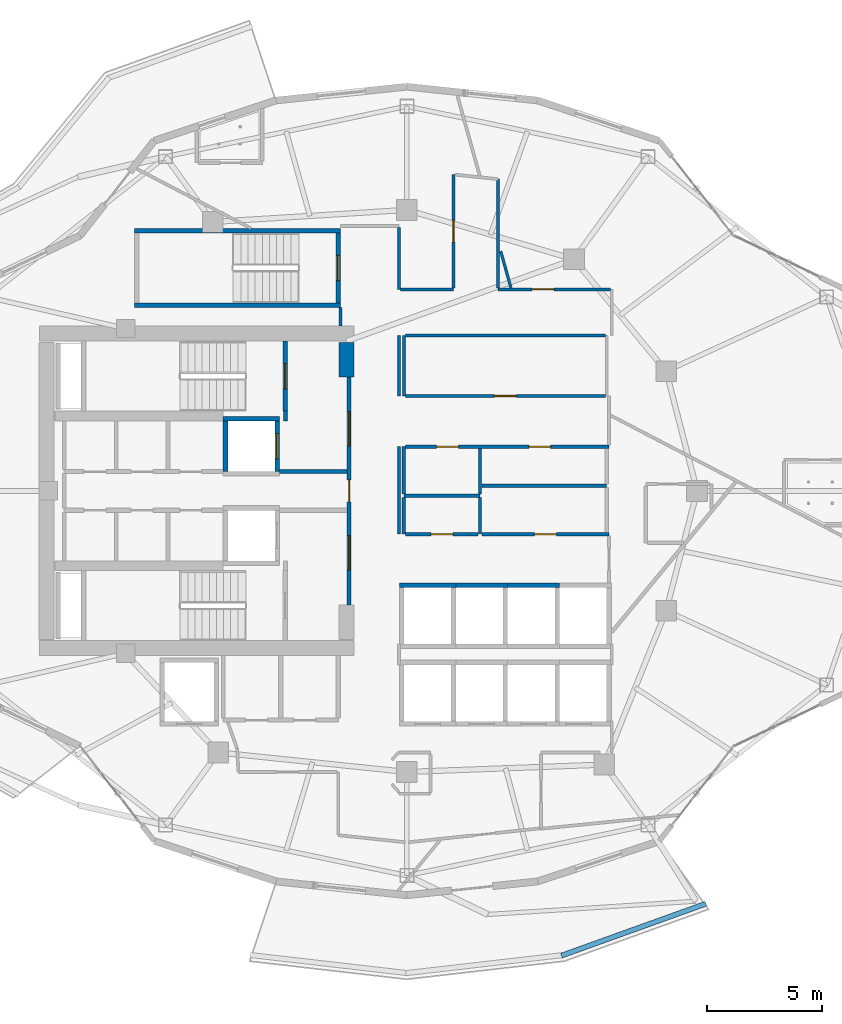
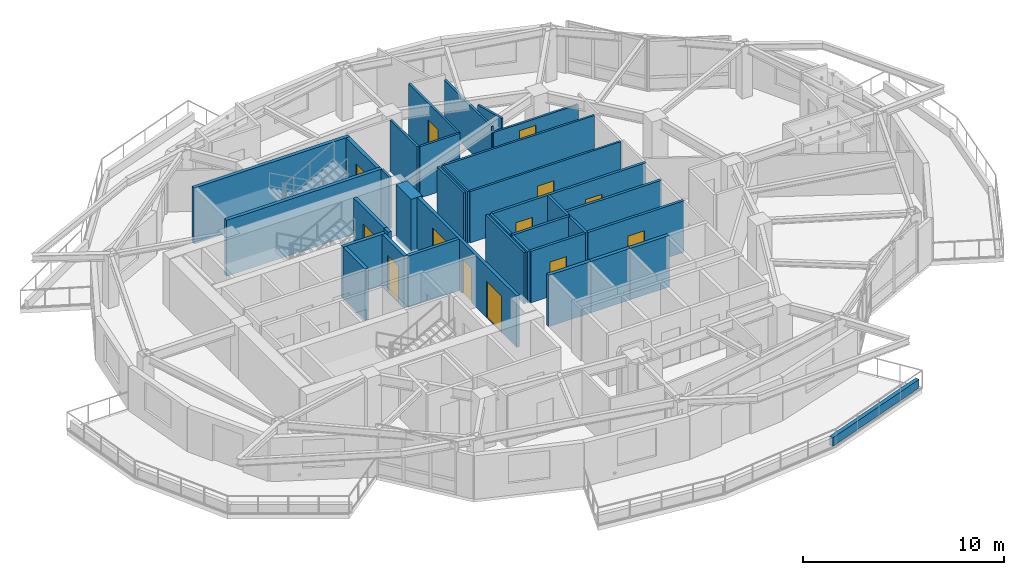
# One storey, part 10 of 18: 36 walls, 13 doors, 13 openings.
"""IFC4 building model written with IfcOpenShell, lengths in metres."""

import ifcopenshell
import ifcopenshell.guid

model = None  # the IFC model being written
_history = None  # IfcOwnerHistory: only IFC2X3 demands one
_inside = {}  # id of a spatial element -> (the spatial element, [elements in it])
_under = {}  # id of a project, library or spatial element -> (it, [spatial elements below it])
_declared = {}  # id of a project -> (the project, [libraries it declares])
_typed = {}  # id of a type object -> (the type object, [elements of that type])
_made_of = {}  # id of a material, layer set ... -> (it, [elements and type objects made of it])


def new_model(schema):
    """Start an empty IFC model of exactly this schema.

    Asked for "IFC4X3", IfcOpenShell would pick the latest addendum, in which some entities
    have other attributes; the version numbers below select the first issue.
    IFC2X3 requires an IfcOwnerHistory on every rooted entity: one is made here for all.
    """
    global model, _history
    if schema == "IFC4X3":
        model = ifcopenshell.file(schema_version=(4, 3, 0, 0))
    else:
        model = ifcopenshell.file(schema=schema)
    _inside.clear()
    _under.clear()
    _declared.clear()
    _typed.clear()
    _made_of.clear()
    _history = None
    if model.schema == "IFC2X3":
        org = make("IfcOrganization", Name="unknown")
        user = make(
            "IfcPersonAndOrganization",
            ThePerson=make("IfcPerson", FamilyName="unknown"),
            TheOrganization=org,
        )
        app = make(
            "IfcApplication",
            ApplicationDeveloper=org,
            Version="unknown",
            ApplicationFullName="unknown",
            ApplicationIdentifier="unknown",
        )
        _history = make(
            "IfcOwnerHistory",
            OwningUser=user,
            OwningApplication=app,
            ChangeAction="ADDED",
            CreationDate=0,
        )
    return model


def make(cls, **values):
    """One entity of the class cls with the attributes given. An attribute that is None is left unset."""
    return model.create_entity(
        cls, **{name: value for name, value in values.items() if value is not None}
    )


def rooted(cls, **values):
    """An entity with a GlobalId (a new one), such as an element, a storey or a relation."""
    return make(cls, GlobalId=ifcopenshell.guid.new(), OwnerHistory=_history, **values)


def si_unit(unit_type, name, prefix=None):
    """IfcSIUnit, for example si_unit("LENGTHUNIT", "METRE", prefix="MILLI")."""
    return make("IfcSIUnit", UnitType=unit_type, Prefix=prefix, Name=name)


def assignment(units):
    """IfcUnitAssignment: the units of a project."""
    return None if units is None else make("IfcUnitAssignment", Units=units)


def point(xyz):
    """IfcCartesianPoint."""
    return None if xyz is None else make("IfcCartesianPoint", Coordinates=xyz)


def direction(xyz):
    """IfcDirection."""
    return None if xyz is None else make("IfcDirection", DirectionRatios=xyz)


def frame(location, z_axis=None, x_axis=None):
    """IfcAxis2Placement3D, a coordinate frame: its origin and axes. An axis left out is left unset."""
    return make(
        "IfcAxis2Placement3D",
        Location=point(location),
        Axis=direction(z_axis),
        RefDirection=direction(x_axis),
    )


def frame_2d(location, x_axis=None):
    """IfcAxis2Placement2D, a coordinate frame in the plane: its origin and x axis."""
    return make(
        "IfcAxis2Placement2D", Location=point(location), RefDirection=direction(x_axis)
    )


def origin():
    """The frame at (0, 0, 0) with its axes left unset."""
    return frame((0.0, 0.0, 0.0))


def place(relative_to, where):
    """IfcLocalPlacement: puts the frame where relative to a parent placement (None: the world)."""
    return make(
        "IfcLocalPlacement", PlacementRelTo=relative_to, RelativePlacement=where
    )


def context(
    kind, dimensions, precision=None, world=None, true_north=None, identifier=None
):
    """IfcGeometricRepresentationContext, for example the 3D "Model" context."""
    return make(
        "IfcGeometricRepresentationContext",
        ContextIdentifier=identifier,
        ContextType=kind,
        CoordinateSpaceDimension=dimensions,
        Precision=precision,
        WorldCoordinateSystem=world,
        TrueNorth=true_north,
    )


def subcontext(parent, identifier, kind, view, scale=None):
    """IfcGeometricRepresentationSubContext, for example "Body" below "Model"."""
    return make(
        "IfcGeometricRepresentationSubContext",
        ContextIdentifier=identifier,
        ContextType=kind,
        ParentContext=parent,
        TargetScale=scale,
        TargetView=view,
    )


def project(units=None, contexts=None):
    """IfcProject with its units and contexts."""
    return rooted(
        "IfcProject",
        Name="project",
        RepresentationContexts=contexts,
        UnitsInContext=assignment(units),
    )


def spatial(cls, under=None, at=None, **own):
    """A site, building, storey or space (cls), placed at a placement, below another one or the project."""
    s = rooted(cls, ObjectPlacement=at, **own)
    if under is not None:
        _under.setdefault(under.id(), (under, []))[1].append(s)
    return s


def profile(cls, at=None, kind="AREA", **sizes):
    """A parametric profile (cls). Its sizes go by their IFC names, for example OverallWidth=200.0."""
    return make(cls, ProfileType=kind, Position=at, **sizes)


def rectangle(**sizes):
    """IfcRectangleProfileDef."""
    return profile("IfcRectangleProfileDef", **sizes)


def extrude(swept, where, along, depth):
    """IfcExtrudedAreaSolid: the profile swept, set in the frame where, extruded along a direction by depth."""
    return make(
        "IfcExtrudedAreaSolid",
        SweptArea=swept,
        Position=where,
        ExtrudedDirection=direction(along),
        Depth=depth,
    )


def shape(context_of_items, identifier, shape_type, items):
    """IfcShapeRepresentation: the items that make up one representation, for example the "Body"."""
    return make(
        "IfcShapeRepresentation",
        ContextOfItems=context_of_items,
        RepresentationIdentifier=identifier,
        RepresentationType=shape_type,
        Items=items,
    )


def material(Name=None, Category=None):
    """IfcMaterial."""
    return make("IfcMaterial", Name=Name, Category=Category)


def layer(
    of_material, thickness, ventilated=None, Name=None, Category=None, Priority=None
):
    """IfcMaterialLayer: one layer of a wall or slab, of a material (None: an air gap)."""
    return make(
        "IfcMaterialLayer",
        Material=of_material,
        LayerThickness=thickness,
        IsVentilated=ventilated,
        Name=Name,
        Category=Category,
        Priority=Priority,
    )


def layer_set(layers, Name=None):
    """IfcMaterialLayerSet."""
    return make("IfcMaterialLayerSet", MaterialLayers=layers, LayerSetName=Name)


def made_of(thing, what):
    """Note that an element or type object is made of a material, layer set ...; save() writes the relation."""
    if what is not None:
        _made_of.setdefault(what.id(), (what, []))[1].append(thing)
    return thing


def type_object(cls, material=None, **own):
    """A type object (cls), such as IfcWallType, which elements share."""
    return made_of(rooted(cls, **own), material)


def element(
    cls,
    number,
    at=None,
    inside=None,
    cuts=None,
    type_object=None,
    material=None,
    context=None,
    identifier="Body",
    shape_type=None,
    held_by="IfcProductDefinitionShape",
    body=None,
    shapes=None,
    **own,
):
    """One element of the class cls, such as IfcWall. Its Tag is "e" and its number.

    at: its placement. inside: the storey or other place that contains it. cuts: it is an
    opening in that element (IfcRelVoidsElement). A single representation is given by context,
    identifier, shape_type and body (its items); several are given by shapes. held_by: the class
    of the entity that holds the representations. save() writes the other relations.
    """
    e = rooted(cls, Tag="e%d" % number, ObjectPlacement=at, **own)
    if body is not None:
        shapes = [shape(context, identifier, shape_type, body)]
    if shapes is not None:
        e.Representation = make(held_by, Representations=shapes)
    if inside is not None:
        _inside.setdefault(inside.id(), (inside, []))[1].append(e)
    if cuts is not None:
        rooted(
            "IfcRelVoidsElement", RelatingBuildingElement=cuts, RelatedOpeningElement=e
        )
    if type_object is not None:
        _typed.setdefault(type_object.id(), (type_object, []))[1].append(e)
    return made_of(e, material)


def fill(opening, filler):
    """IfcRelFillsElement: the door or window that sits in an opening."""
    return rooted(
        "IfcRelFillsElement",
        RelatingOpeningElement=opening,
        RelatedBuildingElement=filler,
    )


def aggregate(whole, parts):
    """IfcRelAggregates: a whole, such as a stair, and the parts it consists of."""
    return rooted("IfcRelAggregates", RelatingObject=whole, RelatedObjects=parts)


def save(model, path):
    """Write the relations noted so far, then the file.

    IfcRelAggregates (storeys below a building ...), IfcRelContainedInSpatialStructure (elements
    in a storey), IfcRelDefinesByType, IfcRelAssociatesMaterial and IfcRelDeclares: one each for
    every whole, place, type object, material and project.
    """
    for whole, parts in _under.values():
        aggregate(whole, parts)
    for where, things in _inside.values():
        rooted(
            "IfcRelContainedInSpatialStructure",
            RelatedElements=things,
            RelatingStructure=where,
        )
    for kind, things in _typed.values():
        rooted("IfcRelDefinesByType", RelatedObjects=things, RelatingType=kind)
    for what, things in _made_of.values():
        rooted("IfcRelAssociatesMaterial", RelatedObjects=things, RelatingMaterial=what)
    for by, libraries in _declared.values():
        rooted("IfcRelDeclares", RelatingContext=by, RelatedDefinitions=libraries)
    model.write(path)


model = new_model("IFC4")

# Units and contexts
model_context = context("Model", 3, precision=1e-05, world=origin(), true_north=direction((0.0, 1.0)))
body_context = subcontext(model_context, "Body", "Model", "MODEL_VIEW")
ifc_project = project(units=[si_unit("LENGTHUNIT", "METRE"), si_unit("AREAUNIT", "SQUARE_METRE"), si_unit("VOLUMEUNIT", "CUBIC_METRE"), si_unit("PLANEANGLEUNIT", "RADIAN"), si_unit("MASSUNIT", "GRAM", prefix="KILO")], contexts=[model_context])

# Site, building, storey
site_placement = place(None, origin())
site = spatial("IfcSite", under=ifc_project, at=site_placement, CompositionType="ELEMENT")
building_placement = place(site_placement, origin())
building = spatial("IfcBuilding", under=site, at=building_placement, Name="Kolvaren Gate Tower and Convention Centre", CompositionType="ELEMENT")
storey_placement = place(building_placement, frame((0.0, 0.0, 176.699951171875)))
storey = spatial("IfcBuildingStorey", under=building, at=storey_placement, Name="L46", CompositionType="ELEMENT", Elevation=176.699951171875)

# Wall
ifc_material_1 = material(Name="Autoclaved Aerated Masonry Blockwork Class 4 (4.0 MPa)", Category="masonry")
ifc_layer_1 = layer(ifc_material_1, 0.179931640625)
ifc_layer_set_1 = layer_set([ifc_layer_1], Name="Autoclaved Aerated Masonry Blockwork Class 4 (4.0 MPa)")
wall_type_1 = type_object("IfcWallType", Name="ARCH-WL-COMP-180", PredefinedType="SOLIDWALL", material=ifc_layer_set_1)
wall_1_placement = place(storey_placement, frame((24.85009765625, 30.0400390625, 0.0), z_axis=(0.0, 0.0, 1.0), x_axis=(0.0, 1.0, 0.0)))
element("IfcWall", 1, at=wall_1_placement, inside=storey, type_object=wall_type_1, Name="Interior Partition WL-L46-INT-002", PredefinedType="SOLIDWALL", context=body_context, shape_type="SweptSolid", body=[
    extrude(rectangle(XDim=0.419921875, YDim=0.179931640625, at=frame_2d((0.2099609375, 0.0))), origin(), (0.0, 0.0, 1.0), 3.130126953125),
])

# Wall, openings, doors
wall_2_placement = place(storey_placement, frame((27.6201171875, 22.050048828125, 0.0), z_axis=(0.0, 0.0, 1.0), x_axis=(0.0, 1.0, 0.0)))
wall_2 = element("IfcWall", 2, at=wall_2_placement, inside=storey, type_object=wall_type_1, Name="Interior Partition WL-L46-INT-003", PredefinedType="SOLIDWALL", context=body_context, shape_type="SweptSolid", body=[
    extrude(rectangle(XDim=9.89990234375, YDim=0.179931640625, at=frame_2d((4.949951171875, 0.0))), origin(), (0.0, 0.0, 1.0), 3.130126953125),
])
opening_1_placement = place(wall_2_placement, frame((4.47509765625, 0.0, 0.0)))
opening_1 = element("IfcOpeningElement", 3, at=opening_1_placement, cuts=wall_2, Name="Opening DR-01", PredefinedType="OPENING", context=body_context, shape_type="SweptSolid", body=[
    extrude(rectangle(XDim=0.949951171875, YDim=2.10009765625, at=frame_2d((0.47509765625, 1.050048828125))), frame((0.0, 0.099853515625, 0.0), z_axis=(0.0, -1.0, 0.0), x_axis=(1.0, 0.0, 0.0)), (0.0, 0.0, 1.0), 0.199951171875),
])
opening_2_placement = place(wall_2_placement, frame((6.889892578125, 0.0, 0.0)))
opening_2 = element("IfcOpeningElement", 4, at=opening_2_placement, cuts=wall_2, Name="Opening DL-01", PredefinedType="OPENING", context=body_context, shape_type="SweptSolid", body=[
    extrude(rectangle(XDim=1.5, YDim=2.199951171875, at=frame_2d((0.75, 1.10009765625))), frame((0.0, 0.099853515625, 0.0), z_axis=(0.0, -1.0, 0.0), x_axis=(1.0, 0.0, 0.0)), (0.0, 0.0, 1.0), 0.199951171875),
])
opening_3_placement = place(wall_2_placement, frame((1.510009765625, 0.0, 0.0)))
opening_3 = element("IfcOpeningElement", 5, at=opening_3_placement, cuts=wall_2, Name="Opening DL-01", PredefinedType="OPENING", context=body_context, shape_type="SweptSolid", body=[
    extrude(rectangle(XDim=1.5, YDim=2.199951171875, at=frame_2d((0.75, 1.10009765625))), frame((0.0, 0.099853515625, 0.0), z_axis=(0.0, -1.0, 0.0), x_axis=(1.0, 0.0, 0.0)), (0.0, 0.0, 1.0), 0.199951171875),
])
ifc_material_2 = material(Name="Painted Architectural Steelwork ASTM A500 Grade C 345 MPa", Category="steel")
door_type_1 = type_object("IfcDoorType", Name="ARCH-DR-LOBBY-1500", OperationType="DOUBLE_DOOR_SINGLE_SWING", PredefinedType="DOOR", material=ifc_material_2)
door_1_placement = place(opening_2_placement, origin())
door_1 = element("IfcDoor", 6, at=door_1_placement, inside=storey, type_object=door_type_1, Name="North Firefighting Stair and Lift Lobby Door", OperationType="DOUBLE_DOOR_SINGLE_SWING", OverallHeight=2.199951171875, OverallWidth=1.5, PredefinedType="DOOR", context=body_context, shape_type="SweptSolid", body=[
    extrude(rectangle(XDim=1.5, YDim=2.199951171875, at=frame_2d((0.75, 1.10009765625))), frame((0.0, 0.02490234375, 0.0), z_axis=(0.0, -1.0, 0.0), x_axis=(1.0, 0.0, 0.0)), (0.0, 0.0, 1.0), 0.050048828125),
])
fill(opening_2, door_1)
door_2_placement = place(opening_3_placement, origin())
door_2 = element("IfcDoor", 7, at=door_2_placement, inside=storey, type_object=door_type_1, Name="South Firefighting Stair and Lift Lobby Door", OperationType="DOUBLE_DOOR_SINGLE_SWING", OverallHeight=2.199951171875, OverallWidth=1.5, PredefinedType="DOOR", context=body_context, shape_type="SweptSolid", body=[
    extrude(rectangle(XDim=1.5, YDim=2.199951171875, at=frame_2d((0.75, 1.10009765625))), frame((0.0, 0.02490234375, 0.0), z_axis=(0.0, -1.0, 0.0), x_axis=(1.0, 0.0, 0.0)), (0.0, 0.0, 1.0), 0.050048828125),
])
fill(opening_3, door_2)
door_type_2 = type_object("IfcDoorType", Name="ARCH-DR-RISER-950", OperationType="SINGLE_SWING_RIGHT", PredefinedType="DOOR", material=ifc_material_2)
door_3_placement = place(opening_1_placement, origin())
door_3 = element("IfcDoor", 8, at=door_3_placement, inside=storey, type_object=door_type_2, Name="Central MEP Service Corridor Door", OperationType="SINGLE_SWING_LEFT", OverallHeight=2.10009765625, OverallWidth=0.949951171875, PredefinedType="DOOR", context=body_context, shape_type="SweptSolid", body=[
    extrude(rectangle(XDim=0.949951171875, YDim=2.10009765625, at=frame_2d((0.47509765625, 1.050048828125))), frame((0.0, 0.02490234375, 0.0), z_axis=(0.0, -1.0, 0.0), x_axis=(1.0, 0.0, 0.0)), (0.0, 0.0, 1.0), 0.050048828125),
])
fill(opening_1, door_3)

# Walls
wall_3_placement = place(storey_placement, frame((24.60009765625, 27.840087890625, 0.0), z_axis=(0.0, 0.0, 1.0), x_axis=(1.0, 0.0, 0.0)))
element("IfcWall", 9, at=wall_3_placement, inside=storey, type_object=wall_type_1, Name="Interior Partition WL-L46-INT-004 (2)", PredefinedType="SOLIDWALL", context=body_context, shape_type="SweptSolid", body=[
    extrude(rectangle(XDim=2.927978515625, YDim=0.179931640625, at=frame_2d((1.4638671875, 0.0))), origin(), (0.0, 0.0, 1.0), 3.130126953125),
])
ifc_material_3 = material(Name="Fire-Rated Acoustic Gypsum Stud Partition", Category="gypsum")
ifc_layer_2 = layer(ifc_material_3, 0.1201171875)
ifc_layer_set_2 = layer_set([ifc_layer_2], Name="Fire-Rated Acoustic Gypsum Stud Partition")
wall_type_2 = type_object("IfcWallType", Name="ARCH-WL-PART-120", PredefinedType="PARTITIONING", material=ifc_layer_set_2)
wall_4_placement = place(storey_placement, frame((30.0, 31.1201171875, 0.0), z_axis=(0.0, 0.0, 1.0), x_axis=(0.0, 1.0, 0.0)))
element("IfcWall", 10, at=wall_4_placement, inside=storey, type_object=wall_type_2, Name="Interior Partition WL-L46-INT-018", PredefinedType="PARTITIONING", context=body_context, shape_type="SweptSolid", body=[
    extrude(rectangle(XDim=2.6298828125, YDim=0.1201171875, at=frame_2d((1.31494140625, 0.0))), origin(), (0.0, 0.0, 1.0), 3.130126953125),
])

# Wall, opening, door
wall_5_placement = place(storey_placement, frame((30.06201171875, 31.1201171875, 0.0), z_axis=(0.0, 0.0, 1.0), x_axis=(1.0, 0.0, 0.0)))
wall_5 = element("IfcWall", 11, at=wall_5_placement, inside=storey, type_object=wall_type_2, Name="Interior Partition WL-L46-INT-025", PredefinedType="PARTITIONING", context=body_context, shape_type="SweptSolid", body=[
    extrude(rectangle(XDim=8.676025390625, YDim=0.1201171875, at=frame_2d((4.337890625, 0.0))), origin(), (0.0, 0.0, 1.0), 3.130126953125),
])
opening_4_placement = place(wall_5_placement, frame((3.863037109375, 0.0, 0.0)))
opening_4 = element("IfcOpeningElement", 12, at=opening_4_placement, cuts=wall_5, Name="Opening DR-01", PredefinedType="OPENING", context=body_context, shape_type="SweptSolid", body=[
    extrude(rectangle(XDim=0.949951171875, YDim=2.10009765625, at=frame_2d((0.47509765625, 1.050048828125))), frame((0.0, 0.070068359375, 0.0), z_axis=(0.0, -1.0, 0.0), x_axis=(1.0, 0.0, 0.0)), (0.0, 0.0, 1.0), 0.14013671875),
])
door_4_placement = place(opening_4_placement, origin())
door_4 = element("IfcDoor", 13, at=door_4_placement, inside=storey, type_object=door_type_2, Name="Botanical Reading Clubroom Door", OperationType="SINGLE_SWING_RIGHT", OverallHeight=2.10009765625, OverallWidth=0.949951171875, PredefinedType="DOOR", context=body_context, shape_type="SweptSolid", body=[
    extrude(rectangle(XDim=0.949951171875, YDim=2.10009765625, at=frame_2d((0.47509765625, 1.050048828125))), frame((0.0, 0.02490234375, 0.0), z_axis=(0.0, -1.0, 0.0), x_axis=(1.0, 0.0, 0.0)), (0.0, 0.0, 1.0), 0.050048828125),
])
fill(opening_4, door_4)

# Walls
wall_6_placement = place(storey_placement, frame((30.06201171875, 33.75, 0.0), z_axis=(0.0, 0.0, 1.0), x_axis=(1.0, 0.0, 0.0)))
element("IfcWall", 14, at=wall_6_placement, inside=storey, type_object=wall_type_2, Name="Interior Partition WL-L46-INT-026", PredefinedType="PARTITIONING", context=body_context, shape_type="SweptSolid", body=[
    extrude(rectangle(XDim=8.676025390625, YDim=0.1201171875, at=frame_2d((4.337890625, 0.0))), origin(), (0.0, 0.0, 1.0), 3.130126953125),
])
wall_7_placement = place(storey_placement, frame((27.25, 34.152099609375, 0.0), z_axis=(0.0, 0.0, 1.0), x_axis=(0.0, 1.0, 0.0)))
element("IfcWall", 15, at=wall_7_placement, inside=storey, type_object=wall_type_2, Name="Interior Partition WL-L46-INT-037", PredefinedType="PARTITIONING", context=body_context, shape_type="SweptSolid", body=[
    extrude(rectangle(XDim=0.805908203125, YDim=0.1201171875, at=frame_2d((0.40283203125, 0.0))), origin(), (0.0, 0.0, 1.0), 3.130126953125),
])
wall_8_placement = place(storey_placement, frame((29.780029296875, 25.1201171875, 0.0), z_axis=(0.0, 0.0, 1.0), x_axis=(0.0, 1.0, 0.0)))
element("IfcWall", 16, at=wall_8_placement, inside=storey, type_object=wall_type_2, Name="Interior Partition WL-L46-INT-040", PredefinedType="PARTITIONING", context=body_context, shape_type="SweptSolid", body=[
    extrude(rectangle(XDim=3.7998046875, YDim=0.1201171875, at=frame_2d((1.89990234375, 0.0))), origin(), (0.0, 0.0, 1.0), 3.130126953125),
])
wall_9_placement = place(storey_placement, frame((29.780029296875, 31.1201171875, 0.0), z_axis=(0.0, 0.0, 1.0), x_axis=(0.0, 1.0, 0.0)))
element("IfcWall", 17, at=wall_9_placement, inside=storey, type_object=wall_type_2, Name="Interior Partition WL-L46-INT-041", PredefinedType="PARTITIONING", context=body_context, shape_type="SweptSolid", body=[
    extrude(rectangle(XDim=2.6298828125, YDim=0.1201171875, at=frame_2d((1.31494140625, 0.0))), origin(), (0.0, 0.0, 1.0), 3.130126953125),
])
wall_10_placement = place(storey_placement, frame((29.780029296875, 35.75, 0.0), z_axis=(0.0, 0.0, 1.0), x_axis=(0.0, 1.0, 0.0)))
element("IfcWall", 18, at=wall_10_placement, inside=storey, type_object=wall_type_2, Name="Interior Partition WL-L46-INT-042", PredefinedType="PARTITIONING", context=body_context, shape_type="SweptSolid", body=[
    extrude(rectangle(XDim=2.68798828125, YDim=0.1201171875, at=frame_2d((1.343994140625, 0.0))), origin(), (0.0, 0.0, 1.0), 3.130126953125),
])
wall_11_placement = place(storey_placement, frame((29.842041015625, 35.75, 0.0), z_axis=(0.0, 0.0, 1.0), x_axis=(1.0, 0.0, 0.0)))
element("IfcWall", 19, at=wall_11_placement, inside=storey, type_object=wall_type_2, Name="Interior Partition WL-L46-INT-043", PredefinedType="PARTITIONING", context=body_context, shape_type="SweptSolid", body=[
    extrude(rectangle(XDim=2.307861328125, YDim=0.1201171875, at=frame_2d((1.15380859375, 0.0))), origin(), (0.0, 0.0, 1.0), 3.130126953125),
])

# Wall, opening, door
wall_12_placement = place(storey_placement, frame((34.080078125, 35.75, 0.0), z_axis=(0.0, 0.0, 1.0), x_axis=(1.0, 0.0, 0.0)))
wall_12 = element("IfcWall", 20, at=wall_12_placement, inside=storey, type_object=wall_type_2, Name="Interior Partition WL-L46-INT-044", PredefinedType="PARTITIONING", context=body_context, shape_type="SweptSolid", body=[
    extrude(rectangle(XDim=4.8779296875, YDim=0.1201171875, at=frame_2d((2.43896484375, 0.0))), origin(), (0.0, 0.0, 1.0), 2.505126953125),
])
opening_5_placement = place(wall_12_placement, frame((1.4853515625, 0.0, 0.0)))
opening_5 = element("IfcOpeningElement", 21, at=opening_5_placement, cuts=wall_12, Name="Opening DR-01", PredefinedType="OPENING", context=body_context, shape_type="SweptSolid", body=[
    extrude(rectangle(XDim=0.949951171875, YDim=2.10009765625, at=frame_2d((0.47509765625, 1.050048828125))), frame((0.0, 0.070068359375, 0.0), z_axis=(0.0, -1.0, 0.0), x_axis=(1.0, 0.0, 0.0)), (0.0, 0.0, 1.0), 0.14013671875),
])
door_5_placement = place(opening_5_placement, origin())
door_5 = element("IfcDoor", 22, at=door_5_placement, inside=storey, type_object=door_type_2, Name="Deluxe Hotel Suite (HTL-L46-05) Door", OperationType="SINGLE_SWING_LEFT", OverallHeight=2.10009765625, OverallWidth=0.949951171875, PredefinedType="DOOR", context=body_context, shape_type="SweptSolid", body=[
    extrude(rectangle(XDim=0.949951171875, YDim=2.10009765625, at=frame_2d((0.47509765625, 1.050048828125))), frame((0.0, 0.02490234375, 0.0), z_axis=(0.0, -1.0, 0.0), x_axis=(1.0, 0.0, 0.0)), (0.0, 0.0, 1.0), 0.050048828125),
])
fill(opening_5, door_5)

wall_13_placement = place(storey_placement, frame((32.14990234375, 35.81201171875, 0.0), z_axis=(0.0, 0.0, 1.0), x_axis=(0.0, 1.0, 0.0)))
wall_13 = element("IfcWall", 23, at=wall_13_placement, inside=storey, type_object=wall_type_2, Name="Interior Partition WL-L46-INT-045", PredefinedType="PARTITIONING", context=body_context, shape_type="SweptSolid", body=[
    extrude(rectangle(XDim=4.925048828125, YDim=0.1201171875, at=frame_2d((2.46240234375, 0.0))), origin(), (0.0, 0.0, 1.0), 3.130126953125),
])
opening_6_placement = place(wall_13_placement, frame((1.987548828125, 0.0, 0.0)))
opening_6 = element("IfcOpeningElement", 24, at=opening_6_placement, cuts=wall_13, Name="Opening DR-01", PredefinedType="OPENING", context=body_context, shape_type="SweptSolid", body=[
    extrude(rectangle(XDim=0.949951171875, YDim=2.10009765625, at=frame_2d((0.47509765625, 1.050048828125))), frame((0.0, 0.070068359375, 0.0), z_axis=(0.0, -1.0, 0.0), x_axis=(1.0, 0.0, 0.0)), (0.0, 0.0, 1.0), 0.14013671875),
])
door_6_placement = place(opening_6_placement, origin())
door_6 = element("IfcDoor", 25, at=door_6_placement, inside=storey, type_object=door_type_2, Name="Deluxe Hotel Suite (HTL-L46-06) Door", OperationType="SINGLE_SWING_RIGHT", OverallHeight=2.10009765625, OverallWidth=0.949951171875, PredefinedType="DOOR", context=body_context, shape_type="SweptSolid", body=[
    extrude(rectangle(XDim=0.949951171875, YDim=2.10009765625, at=frame_2d((0.47509765625, 1.050048828125))), frame((0.0, 0.02490234375, 0.0), z_axis=(0.0, -1.0, 0.0), x_axis=(1.0, 0.0, 0.0)), (0.0, 0.0, 1.0), 0.050048828125),
])
fill(opening_6, door_6)

# Walls
wall_14_placement = place(storey_placement, frame((34.080078125, 35.81201171875, 0.0), z_axis=(0.0, 0.0, 1.0), x_axis=(0.0, 1.0, 0.0)))
element("IfcWall", 26, at=wall_14_placement, inside=storey, type_object=wall_type_2, Name="Interior Partition WL-L46-INT-047", PredefinedType="PARTITIONING", context=body_context, shape_type="SweptSolid", body=[
    extrude(rectangle(XDim=4.721923828125, YDim=0.1201171875, at=frame_2d((2.36083984375, 0.0))), origin(), (0.0, 0.0, 1.0), 2.81201171875),
])
wall_15_placement = place(storey_placement, frame((34.201904296875, 37.401123046875, 0.0), z_axis=(0.0, 0.0, 1.0), x_axis=(0.268460489063, -0.963290696422, 0.0)))
element("IfcWall", 27, at=wall_15_placement, inside=storey, type_object=wall_type_2, Name="Interior Partition WL-L46-INT-071", PredefinedType="PARTITIONING", context=body_context, shape_type="SweptSolid", body=[
    extrude(rectangle(XDim=1.649658203125, YDim=0.1201171875, at=frame_2d((0.82470703125, 0.0))), origin(), (0.0, 0.0, 1.0), 3.130126953125),
])
ifc_material_4 = material(Name="Piedmont Cream Honed Limestone Cladding", Category="masonry")
ifc_layer_3 = layer(ifc_material_4, 0.219970703125)
ifc_layer_set_3 = layer_set([ifc_layer_3], Name="Piedmont Cream Honed Limestone Cladding")
wall_type_3 = type_object("IfcWallType", Name="ARCH-WL-PLANTER-220", PredefinedType="PARAPET", material=ifc_layer_set_3)
wall_16_placement = place(storey_placement, frame((36.836669921875, 6.826171875, 0.0), z_axis=(0.0, 0.0, 1.0), x_axis=(0.940948576924, 0.338549517184, 0.0)))
element("IfcWall", 28, at=wall_16_placement, inside=storey, type_object=wall_type_3, Name="Vertical-Forest Balcony Stone Planter Kerb PK-L46-3.3", PredefinedType="PARAPET", context=body_context, shape_type="SweptSolid", body=[
    extrude(rectangle(XDim=6.6640625, YDim=0.219970703125, at=frame_2d((3.33203125, 0.0))), origin(), (0.0, 0.0, 1.0), 0.52001953125),
])
ifc_layer_4 = layer(ifc_material_1, 0.199951171875)
ifc_layer_set_4 = layer_set([ifc_layer_4], Name="Autoclaved Aerated Masonry Blockwork Class 4 (4.0 MPa)")
wall_type_4 = type_object("IfcWallType", Name="ARCH-WL-SHAFT-200", PredefinedType="SOLIDWALL", material=ifc_layer_set_4)
wall_17_placement = place(storey_placement, frame((22.14990234375, 30.139892578125, 0.0), z_axis=(0.0, 0.0, 1.0), x_axis=(1.0, 0.0, 0.0)))
element("IfcWall", 29, at=wall_17_placement, inside=storey, type_object=wall_type_4, Name="Elevator FF-01 L46 Fire Shaft Wall N", PredefinedType="SOLIDWALL", context=body_context, shape_type="SweptSolid", body=[
    extrude(rectangle(XDim=2.4501953125, YDim=0.199951171875, at=frame_2d((1.22509765625, 0.0))), origin(), (0.0, 0.0, 1.0), 3.130126953125),
])
wall_18_placement = place(storey_placement, frame((22.25, 27.85009765625, 0.0), z_axis=(0.0, 0.0, 1.0), x_axis=(0.0, 1.0, 0.0)))
element("IfcWall", 30, at=wall_18_placement, inside=storey, type_object=wall_type_4, Name="Elevator FF-01 L46 Fire Shaft Wall W", PredefinedType="SOLIDWALL", context=body_context, shape_type="SweptSolid", body=[
    extrude(rectangle(XDim=2.179931640625, YDim=0.199951171875, at=frame_2d((1.08984375, 0.0))), origin(), (0.0, 0.0, 1.0), 3.130126953125),
])

# Wall, opening, door
wall_19_placement = place(storey_placement, frame((24.5, 27.85009765625, 0.0), z_axis=(0.0, 0.0, 1.0), x_axis=(0.0, 1.0, 0.0)))
wall_19 = element("IfcWall", 31, at=wall_19_placement, inside=storey, type_object=wall_type_4, Name="Elevator FF-01 L46 Fire Shaft Wall E", PredefinedType="SOLIDWALL", context=body_context, shape_type="SweptSolid", body=[
    extrude(rectangle(XDim=2.179931640625, YDim=0.199951171875, at=frame_2d((1.08984375, 0.0))), origin(), (0.0, 0.0, 1.0), 3.130126953125),
])
opening_7_placement = place(wall_19_placement, frame((0.5400390625, 0.0, 0.0)))
opening_7 = element("IfcOpeningElement", 32, at=opening_7_placement, cuts=wall_19, Name="Opening LD", PredefinedType="OPENING", context=body_context, shape_type="SweptSolid", body=[
    extrude(rectangle(XDim=1.10009765625, YDim=2.199951171875, at=frame_2d((0.550048828125, 1.10009765625))), frame((0.0, 0.10986328125, 0.0), z_axis=(0.0, -1.0, 0.0), x_axis=(1.0, 0.0, 0.0)), (0.0, 0.0, 1.0), 0.219970703125),
])
ifc_material_5 = material(Name="Brushed Stainless Steel Grade 316L", Category="steel")
door_type_3 = type_object("IfcDoorType", Name="ARCH-DR-LIFT-1100", OperationType="SLIDING_TO_LEFT", PredefinedType="DOOR", material=ifc_material_5)
door_7_placement = place(opening_7_placement, origin())
door_7 = element("IfcDoor", 33, at=door_7_placement, inside=storey, type_object=door_type_3, Name="Elevator FF-01 L46 Sliding Landing Door", OperationType="SLIDING_TO_LEFT", OverallHeight=2.199951171875, OverallWidth=1.10009765625, PredefinedType="DOOR", context=body_context, shape_type="SweptSolid", body=[
    extrude(rectangle(XDim=1.10009765625, YDim=2.199951171875, at=frame_2d((0.550048828125, 1.10009765625))), frame((0.0, 0.02490234375, 0.0), z_axis=(0.0, -1.0, 0.0), x_axis=(1.0, 0.0, 0.0)), (0.0, 0.0, 1.0), 0.050048828125),
])
fill(opening_7, door_7)

# Walls
wall_20_placement = place(storey_placement, frame((29.800048828125, 22.89990234375, 0.0), z_axis=(0.0, 0.0, 1.0), x_axis=(1.0, 0.0, 0.0)))
element("IfcWall", 34, at=wall_20_placement, inside=storey, type_object=wall_type_4, Name="Elevator PL-09 L46 Fire Shaft Wall N", PredefinedType="SOLIDWALL", context=body_context, shape_type="SweptSolid", body=[
    extrude(rectangle(XDim=2.449951171875, YDim=0.199951171875, at=frame_2d((1.22509765625, 0.0))), origin(), (0.0, 0.0, 1.0), 3.130126953125),
])
for number, where, z_axis, x_axis, name in (
    (35, (32.25, 22.89990234375, 0.0), (0.0, 0.0, 1.0), (1.0, 0.0, 0.0), "Elevator PL-10 L46 Fire Shaft Wall N"),
    (36, (34.5, 22.89990234375, 0.0), (0.0, 0.0, 1.0), (1.0, 0.0, 0.0), "Elevator PL-11 L46 Fire Shaft Wall N"),
):
    element("IfcWall", number, at=place(storey_placement, frame(where, z_axis=z_axis, x_axis=x_axis)), inside=storey, type_object=wall_type_4, Name=name, PredefinedType="SOLIDWALL", context=body_context, shape_type="SweptSolid", body=[
        extrude(rectangle(XDim=2.25, YDim=0.199951171875, at=frame_2d((1.125, 0.0))), origin(), (0.0, 0.0, 1.0), 3.130126953125),
    ])
ifc_material_6 = material(Name="Moisture-Resistant Cement-Board Acoustic Partition", Category="gypsum")
ifc_layer_5 = layer(ifc_material_6, 0.14990234375)
ifc_layer_set_5 = layer_set([ifc_layer_5], Name="Moisture-Resistant Cement-Board Acoustic Partition")
wall_type_5 = type_object("IfcWallType", Name="ARCH-WL-WET-150", PredefinedType="PARTITIONING", material=ifc_layer_set_5)
wall_21_placement = place(storey_placement, frame((30.0, 26.800048828125, 0.0), z_axis=(0.0, 0.0, 1.0), x_axis=(1.0, 0.0, 0.0)))
element("IfcWall", 37, at=wall_21_placement, inside=storey, type_object=wall_type_5, Name="Interior Partition WL-L46-INT-016", PredefinedType="PARTITIONING", context=body_context, shape_type="SweptSolid", body=[
    extrude(rectangle(XDim=3.300048828125, YDim=0.14990234375, at=frame_2d((1.64990234375, 0.0))), origin(), (0.0, 0.0, 1.0), 3.130126953125),
])
wall_22_placement = place(storey_placement, frame((30.0, 25.1201171875, 0.0), z_axis=(0.0, 0.0, 1.0), x_axis=(0.0, 1.0, 0.0)))
element("IfcWall", 38, at=wall_22_placement, inside=storey, type_object=wall_type_5, Name="Interior Partition WL-L46-INT-017", PredefinedType="PARTITIONING", context=body_context, shape_type="SweptSolid", body=[
    extrude(rectangle(XDim=1.602783203125, YDim=0.14990234375, at=frame_2d((0.80126953125, 0.0))), origin(), (0.0, 0.0, 1.0), 3.130126953125),
])
wall_23_placement = place(storey_placement, frame((30.0, 26.876953125, 0.0), z_axis=(0.0, 0.0, 1.0), x_axis=(0.0, 1.0, 0.0)))
element("IfcWall", 39, at=wall_23_placement, inside=storey, type_object=wall_type_5, Name="Interior Partition WL-L46-INT-017 (2)", PredefinedType="PARTITIONING", context=body_context, shape_type="SweptSolid", body=[
    extrude(rectangle(XDim=2.04296875, YDim=0.14990234375, at=frame_2d((1.021484375, 0.0))), origin(), (0.0, 0.0, 1.0), 3.130126953125),
])

# Wall, openings, doors
wall_24_placement = place(storey_placement, frame((30.076904296875, 28.919921875, 0.0), z_axis=(0.0, 0.0, 1.0), x_axis=(1.0, 0.0, 0.0)))
wall_24 = element("IfcWall", 40, at=wall_24_placement, inside=storey, type_object=wall_type_5, Name="Interior Partition WL-L46-INT-019", PredefinedType="PARTITIONING", context=body_context, shape_type="SweptSolid", body=[
    extrude(rectangle(XDim=8.822998046875, YDim=0.14990234375, at=frame_2d((4.41162109375, 0.0))), origin(), (0.0, 0.0, 1.0), 3.130126953125),
])
opening_8_placement = place(wall_24_placement, frame((1.341552734375, 0.0, 0.0)))
opening_8 = element("IfcOpeningElement", 41, at=opening_8_placement, cuts=wall_24, Name="Opening DR-01", PredefinedType="OPENING", context=body_context, shape_type="SweptSolid", body=[
    extrude(rectangle(XDim=0.949951171875, YDim=2.10009765625, at=frame_2d((0.47509765625, 1.050048828125))), frame((0.0, 0.0849609375, 0.0), z_axis=(0.0, -1.0, 0.0), x_axis=(1.0, 0.0, 0.0)), (0.0, 0.0, 1.0), 0.169921875),
])
opening_9_placement = place(wall_24_placement, frame((5.343017578125, 0.0, 0.0)))
opening_9 = element("IfcOpeningElement", 42, at=opening_9_placement, cuts=wall_24, Name="Opening DR-01", PredefinedType="OPENING", context=body_context, shape_type="SweptSolid", body=[
    extrude(rectangle(XDim=0.949951171875, YDim=2.10009765625, at=frame_2d((0.47509765625, 1.050048828125))), frame((0.0, 0.0849609375, 0.0), z_axis=(0.0, -1.0, 0.0), x_axis=(1.0, 0.0, 0.0)), (0.0, 0.0, 1.0), 0.169921875),
])
door_8_placement = place(opening_8_placement, origin())
door_8 = element("IfcDoor", 43, at=door_8_placement, inside=storey, type_object=door_type_2, Name="Accessible North Washroom Door", OperationType="SINGLE_SWING_RIGHT", OverallHeight=2.10009765625, OverallWidth=0.949951171875, PredefinedType="DOOR", context=body_context, shape_type="SweptSolid", body=[
    extrude(rectangle(XDim=0.949951171875, YDim=2.10009765625, at=frame_2d((0.47509765625, 1.050048828125))), frame((0.0, 0.02490234375, 0.0), z_axis=(0.0, -1.0, 0.0), x_axis=(1.0, 0.0, 0.0)), (0.0, 0.0, 1.0), 0.050048828125),
])
fill(opening_8, door_8)
door_9_placement = place(opening_9_placement, origin())
door_9 = element("IfcDoor", 44, at=door_9_placement, inside=storey, type_object=door_type_2, Name="Hotel Housekeeping and Linen Store Door", OperationType="SINGLE_SWING_RIGHT", OverallHeight=2.10009765625, OverallWidth=0.949951171875, PredefinedType="DOOR", context=body_context, shape_type="SweptSolid", body=[
    extrude(rectangle(XDim=0.949951171875, YDim=2.10009765625, at=frame_2d((0.47509765625, 1.050048828125))), frame((0.0, 0.02490234375, 0.0), z_axis=(0.0, -1.0, 0.0), x_axis=(1.0, 0.0, 0.0)), (0.0, 0.0, 1.0), 0.050048828125),
])
fill(opening_9, door_9)

# Walls
wall_25_placement = place(storey_placement, frame((33.300048828125, 25.1201171875, 0.0), z_axis=(0.0, 0.0, 1.0), x_axis=(0.0, 1.0, 0.0)))
element("IfcWall", 45, at=wall_25_placement, inside=storey, type_object=wall_type_5, Name="Interior Partition WL-L46-INT-020", PredefinedType="PARTITIONING", context=body_context, shape_type="SweptSolid", body=[
    extrude(rectangle(XDim=1.602783203125, YDim=0.14990234375, at=frame_2d((0.80126953125, 0.0))), origin(), (0.0, 0.0, 1.0), 3.130126953125),
])
wall_26_placement = place(storey_placement, frame((33.300048828125, 26.876953125, 0.0), z_axis=(0.0, 0.0, 1.0), x_axis=(0.0, 1.0, 0.0)))
element("IfcWall", 46, at=wall_26_placement, inside=storey, type_object=wall_type_5, Name="Interior Partition WL-L46-INT-020 (2)", PredefinedType="PARTITIONING", context=body_context, shape_type="SweptSolid", body=[
    extrude(rectangle(XDim=1.966064453125, YDim=0.14990234375, at=frame_2d((0.98291015625, 0.0))), origin(), (0.0, 0.0, 1.0), 3.130126953125),
])

# Wall, opening, door
wall_27_placement = place(storey_placement, frame((30.076904296875, 25.1201171875, 0.0), z_axis=(0.0, 0.0, 1.0), x_axis=(1.0, 0.0, 0.0)))
wall_27 = element("IfcWall", 47, at=wall_27_placement, inside=storey, type_object=wall_type_5, Name="Interior Partition WL-L46-INT-021", PredefinedType="PARTITIONING", context=body_context, shape_type="SweptSolid", body=[
    extrude(rectangle(XDim=3.14599609375, YDim=0.14990234375, at=frame_2d((1.572998046875, 0.0))), origin(), (0.0, 0.0, 1.0), 3.130126953125),
])
opening_10_placement = place(wall_27_placement, frame((1.097900390625, 0.0, 0.0)))
opening_10 = element("IfcOpeningElement", 48, at=opening_10_placement, cuts=wall_27, Name="Opening DR-01", PredefinedType="OPENING", context=body_context, shape_type="SweptSolid", body=[
    extrude(rectangle(XDim=0.949951171875, YDim=2.10009765625, at=frame_2d((0.47509765625, 1.050048828125))), frame((0.0, 0.0849609375, 0.0), z_axis=(0.0, -1.0, 0.0), x_axis=(1.0, 0.0, 0.0)), (0.0, 0.0, 1.0), 0.169921875),
])
door_10_placement = place(opening_10_placement, origin())
door_10 = element("IfcDoor", 49, at=door_10_placement, inside=storey, type_object=door_type_2, Name="South Visitor Washroom Door", OperationType="SINGLE_SWING_LEFT", OverallHeight=2.10009765625, OverallWidth=0.949951171875, PredefinedType="DOOR", context=body_context, shape_type="SweptSolid", body=[
    extrude(rectangle(XDim=0.949951171875, YDim=2.10009765625, at=frame_2d((0.47509765625, 1.050048828125))), frame((0.0, 0.02490234375, 0.0), z_axis=(0.0, -1.0, 0.0), x_axis=(1.0, 0.0, 0.0)), (0.0, 0.0, 1.0), 0.050048828125),
])
fill(opening_10, door_10)

wall_28_placement = place(storey_placement, frame((33.376953125, 25.1201171875, 0.0), z_axis=(0.0, 0.0, 1.0), x_axis=(1.0, 0.0, 0.0)))
wall_28 = element("IfcWall", 50, at=wall_28_placement, inside=storey, type_object=wall_type_5, Name="Interior Partition WL-L46-INT-021 (2)", PredefinedType="PARTITIONING", context=body_context, shape_type="SweptSolid", body=[
    extrude(rectangle(XDim=5.52294921875, YDim=0.14990234375, at=frame_2d((2.761474609375, 0.0))), origin(), (0.0, 0.0, 1.0), 3.130126953125),
])
opening_11_placement = place(wall_28_placement, frame((2.28662109375, 0.0, 0.0)))
opening_11 = element("IfcOpeningElement", 51, at=opening_11_placement, cuts=wall_28, Name="Opening DR-01", PredefinedType="OPENING", context=body_context, shape_type="SweptSolid", body=[
    extrude(rectangle(XDim=0.949951171875, YDim=2.10009765625, at=frame_2d((0.47509765625, 1.050048828125))), frame((0.0, 0.0849609375, 0.0), z_axis=(0.0, -1.0, 0.0), x_axis=(1.0, 0.0, 0.0)), (0.0, 0.0, 1.0), 0.169921875),
])
door_11_placement = place(opening_11_placement, origin())
door_11 = element("IfcDoor", 52, at=door_11_placement, inside=storey, type_object=door_type_2, Name="Floor Coffee Pantry Door", OperationType="SINGLE_SWING_LEFT", OverallHeight=2.10009765625, OverallWidth=0.949951171875, PredefinedType="DOOR", context=body_context, shape_type="SweptSolid", body=[
    extrude(rectangle(XDim=0.949951171875, YDim=2.10009765625, at=frame_2d((0.47509765625, 1.050048828125))), frame((0.0, 0.02490234375, 0.0), z_axis=(0.0, -1.0, 0.0), x_axis=(1.0, 0.0, 0.0)), (0.0, 0.0, 1.0), 0.050048828125),
])
fill(opening_11, door_11)

# Walls
wall_29_placement = place(storey_placement, frame((33.376953125, 27.219970703125, 0.0), z_axis=(0.0, 0.0, 1.0), x_axis=(1.0, 0.0, 0.0)))
element("IfcWall", 53, at=wall_29_placement, inside=storey, type_object=wall_type_5, Name="Interior Partition WL-L46-INT-022", PredefinedType="PARTITIONING", context=body_context, shape_type="SweptSolid", body=[
    extrude(rectangle(XDim=5.423095703125, YDim=0.14990234375, at=frame_2d((2.71142578125, 0.0))), origin(), (0.0, 0.0, 1.0), 3.130126953125),
])
ifc_material_7 = material(Name="Concrete C60/75", Category="concrete")
ifc_layer_6 = layer(ifc_material_7, 0.64990234375)
ifc_layer_set_6 = layer_set([ifc_layer_6], Name="Concrete C60/75")
wall_type_6 = type_object("IfcWallType", Name="STR-WL-CORE-650", PredefinedType="SHEAR", material=ifc_layer_set_6)
wall_30_placement = place(storey_placement, frame((27.5, 31.949951171875, -0.27001953125), z_axis=(0.0, 0.0, 1.0), x_axis=(0.0, 1.0, 0.0)))
element("IfcWall", 54, at=wall_30_placement, inside=storey, type_object=wall_type_6, Name="Tower L46 Offset Core Shear Wall EN", PredefinedType="SHEAR", context=body_context, shape_type="SweptSolid", body=[
    extrude(rectangle(XDim=1.5, YDim=0.64990234375, at=frame_2d((0.75, 0.0))), origin(), (0.0, 0.0, 1.0), 3.400146484375),
])

# Wall, opening, door
ifc_material_8 = material(Name="Concrete C50/60", Category="concrete")
ifc_layer_7 = layer(ifc_material_8, 0.199951171875)
ifc_layer_set_7 = layer_set([ifc_layer_7], Name="Concrete C50/60")
wall_type_7 = type_object("IfcWallType", Name="STR-WL-SHAFT-200", PredefinedType="SHEAR", material=ifc_layer_set_7)
wall_31_placement = place(storey_placement, frame((24.85009765625, 30.4599609375, -0.27001953125), z_axis=(0.0, 0.0, 1.0), x_axis=(0.0, 1.0, 0.0)))
wall_31 = element("IfcWall", 55, at=wall_31_placement, inside=storey, type_object=wall_type_7, Name="Tower North Exit Stair ST-T1 L46 Structural Shear Enclosure Wall NEAR", PredefinedType="SHEAR", context=body_context, shape_type="SweptSolid", body=[
    extrude(rectangle(XDim=3.0380859375, YDim=0.199951171875, at=frame_2d((1.51904296875, 0.0))), origin(), (0.0, 0.0, 1.0), 3.400146484375),
])
opening_12_placement = place(wall_31_placement, frame((0.968994140625, 0.0, 0.27001953125)))
opening_12 = element("IfcOpeningElement", 56, at=opening_12_placement, cuts=wall_31, Name="Opening DS-01", PredefinedType="OPENING", context=body_context, shape_type="SweptSolid", body=[
    extrude(rectangle(XDim=1.10009765625, YDim=2.14990234375, at=frame_2d((0.550048828125, 1.074951171875))), frame((0.0, 0.10986328125, 0.0), z_axis=(0.0, -1.0, 0.0), x_axis=(1.0, 0.0, 0.0)), (0.0, 0.0, 1.0), 0.219970703125),
])
door_type_4 = type_object("IfcDoorType", Name="ARCH-DR-STAIR-1100", OperationType="SINGLE_SWING_LEFT", PredefinedType="DOOR", material=ifc_material_2)
door_12_placement = place(opening_12_placement, origin())
door_12 = element("IfcDoor", 57, at=door_12_placement, inside=storey, type_object=door_type_4, Name="Tower North Exit Stair ST-T1 L46 Fire Exit Stair Door", OperationType="SINGLE_SWING_RIGHT", OverallHeight=2.14990234375, OverallWidth=1.10009765625, PredefinedType="DOOR", context=body_context, shape_type="SweptSolid", body=[
    extrude(rectangle(XDim=1.10009765625, YDim=2.14990234375, at=frame_2d((0.550048828125, 1.074951171875))), frame((0.0, 0.02490234375, 0.0), z_axis=(0.0, -1.0, 0.0), x_axis=(1.0, 0.0, 0.0)), (0.0, 0.0, 1.0), 0.050048828125),
])
fill(opening_12, door_12)

wall_32_placement = place(storey_placement, frame((27.14990234375, 35.159912109375, -0.27001953125), z_axis=(0.0, 0.0, 1.0), x_axis=(0.0, 1.0, 0.0)))
wall_32 = element("IfcWall", 58, at=wall_32_placement, inside=storey, type_object=wall_type_7, Name="Tower Mid-Zone Exit Stair ST-T3 L46 Structural Shear Enclosure Wall NEAR", PredefinedType="SHEAR", context=body_context, shape_type="SweptSolid", body=[
    extrude(rectangle(XDim=3.0400390625, YDim=0.199951171875, at=frame_2d((1.52001953125, 0.0))), origin(), (0.0, 0.0, 1.0), 3.400146484375),
])
opening_13_placement = place(wall_32_placement, frame((0.969970703125, 0.0, 0.27001953125)))
opening_13 = element("IfcOpeningElement", 59, at=opening_13_placement, cuts=wall_32, Name="Opening DS-01", PredefinedType="OPENING", context=body_context, shape_type="SweptSolid", body=[
    extrude(rectangle(XDim=1.10009765625, YDim=2.14990234375, at=frame_2d((0.550048828125, 1.074951171875))), frame((0.0, 0.10986328125, 0.0), z_axis=(0.0, -1.0, 0.0), x_axis=(1.0, 0.0, 0.0)), (0.0, 0.0, 1.0), 0.219970703125),
])
door_13_placement = place(opening_13_placement, origin())
door_13 = element("IfcDoor", 60, at=door_13_placement, inside=storey, type_object=door_type_4, Name="Tower Mid-Zone Exit Stair ST-T3 L46 Fire Exit Stair Door", OperationType="SINGLE_SWING_RIGHT", OverallHeight=2.14990234375, OverallWidth=1.10009765625, PredefinedType="DOOR", context=body_context, shape_type="SweptSolid", body=[
    extrude(rectangle(XDim=1.10009765625, YDim=2.14990234375, at=frame_2d((0.550048828125, 1.074951171875))), frame((0.0, 0.02490234375, 0.0), z_axis=(0.0, -1.0, 0.0), x_axis=(1.0, 0.0, 0.0)), (0.0, 0.0, 1.0), 0.050048828125),
])
fill(opening_13, door_13)

# Walls
for number, where, z_axis, x_axis, name in (
    (61, (18.300048828125, 38.300048828125, -0.27001953125), (0.0, 0.0, 1.0), (1.0, 0.0, 0.0), "Tower Mid-Zone Exit Stair ST-T3 L46 Structural Shear Enclosure Wall LEFT"),
    (62, (18.300048828125, 35.06005859375, -0.27001953125), (0.0, 0.0, 1.0), (1.0, 0.0, 0.0), "Tower Mid-Zone Exit Stair ST-T3 L46 Structural Shear Enclosure Wall RGHT"),
):
    element("IfcWall", number, at=place(storey_placement, frame(where, z_axis=z_axis, x_axis=x_axis)), inside=storey, type_object=wall_type_7, Name=name, PredefinedType="SHEAR", context=body_context, shape_type="SweptSolid", body=[
        extrude(rectangle(XDim=8.949951171875, YDim=0.199951171875, at=frame_2d((4.47509765625, 0.0))), origin(), (0.0, 0.0, 1.0), 3.400146484375),
    ])

save(model, "model.ifc")
